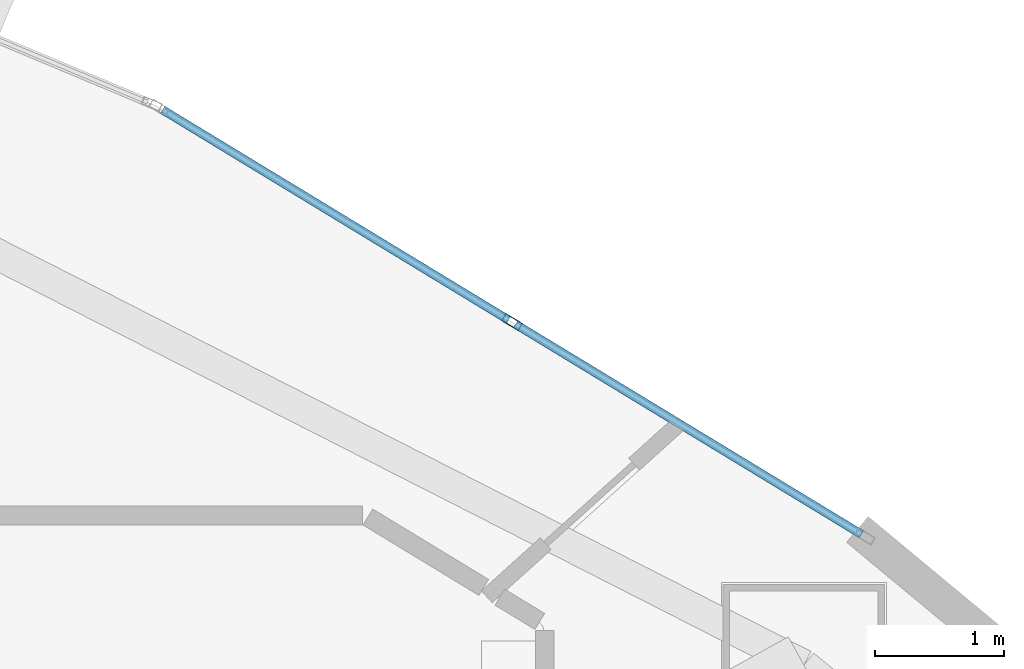
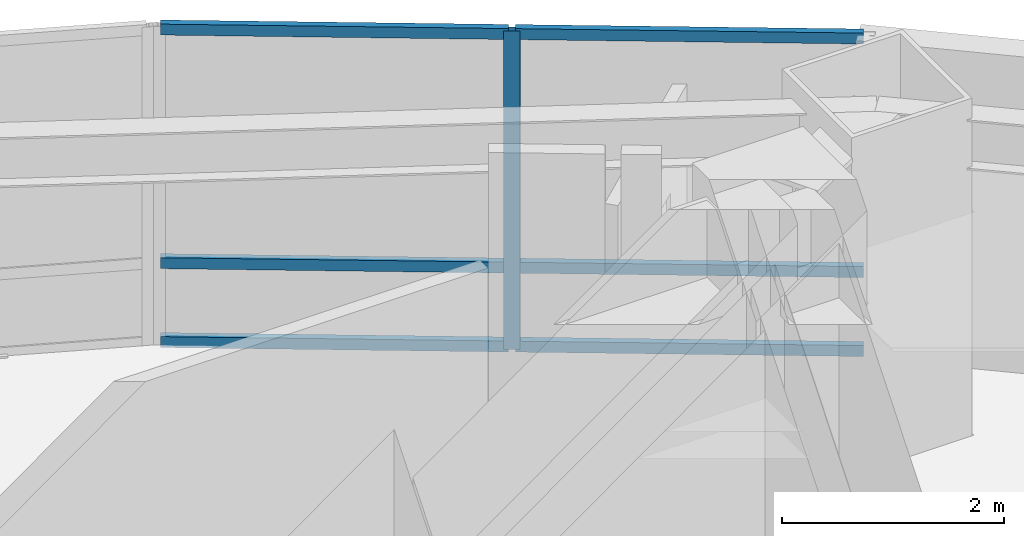
# One storey, part 10 of 17: 7 members, 1 element without a shape of its own.
"""IFC4 building model written with IfcOpenShell, lengths in metres."""

from ifc_helpers import new_model, si_unit, direction, frame, origin, origin_2d, place, context, subcontext, project, spatial, hollow_rectangle, extrude, material, layer, layer_set, material_profile, profile_set, type_object, element, aggregate, save


model = new_model("IFC4")

# Units and contexts
model_context = context("Model", 3, precision=1e-05, world=origin(), true_north=direction((0.0, 1.0)))
body_context = subcontext(model_context, "Body", "Model", "MODEL_VIEW")
ifc_project = project(units=[si_unit("LENGTHUNIT", "METRE"), si_unit("AREAUNIT", "SQUARE_METRE"), si_unit("VOLUMEUNIT", "CUBIC_METRE"), si_unit("PLANEANGLEUNIT", "RADIAN"), si_unit("MASSUNIT", "GRAM", prefix="KILO")], contexts=[model_context])

# Site, building, storey
site_placement = place(None, origin())
site = spatial("IfcSite", under=ifc_project, at=site_placement, CompositionType="ELEMENT")
building_placement = place(site_placement, origin())
building = spatial("IfcBuilding", under=site, at=building_placement, Name="Menara Vayukalpa", CompositionType="ELEMENT")
storey_placement = place(building_placement, frame((0.0, 0.0, 133.739990234375)))
storey = spatial("IfcBuildingStorey", under=building, at=storey_placement, Name="L33", CompositionType="ELEMENT", Elevation=133.739990234375)

# Curtain wall, members
ifc_material_1 = material(Name="Anodised Terracotta Aluminium Alloy 6063-T6", Category="masonry")
ifc_layer = layer(ifc_material_1, 0.14990234375)
ifc_layer_set = layer_set([ifc_layer], Name="Anodised Terracotta Aluminium Alloy 6063-T6")
curtain_wall_type = type_object("IfcCurtainWallType", Name="CW-CW3", PredefinedType="USERDEFINED", material=ifc_layer_set)
curtain_wall_placement = place(storey_placement, origin())
curtain_wall = element("IfcCurtainWall", 1, at=curtain_wall_placement, inside=storey, type_object=curtain_wall_type, Name="L33 Mid Rise Terracotta Ribbon Curtain Wall CW3 04", ObjectType="UNITISED", PredefinedType="USERDEFINED")
ifc_material_2 = material(Name="Anodised Terracotta Aluminium Alloy 6063-T6", Category="masonry")
ifc_material_profile_1 = material_profile(ifc_material_2, hollow_rectangle(XDim=0.06494140625, YDim=0.14990234375, WallThickness=0.00341796875, at=origin_2d()), Name="ALU 65x150x3.5")
ifc_profile_set_1 = profile_set([ifc_material_profile_1], Name="Anodised Terracotta Aluminium Alloy 6063-T6")
member_type_1 = type_object("IfcMemberType", Name="CWM-CW3", PredefinedType="MULLION", material=ifc_profile_set_1)
member_1_placement = place(storey_placement, frame((32.6259765625, 30.278564453125, 0.0), z_axis=(0.0, 0.0, 1.0), x_axis=(-0.519182959112, -0.854663123674, 0.0)))
member_1 = element("IfcMember", 2, at=member_1_placement, type_object=member_type_1, Name="CW3 mullion 2", PredefinedType="MULLION", context=body_context, shape_type="SweptSolid", body=[
    extrude(hollow_rectangle(XDim=0.06494140625, YDim=0.14990234375, WallThickness=0.00341796875, at=origin_2d()), origin(), (0.0, 0.0, 1.0), 3.5),
])
ifc_material_3 = material(Name="Anodised Terracotta Aluminium Alloy 6063-T6", Category="masonry")
ifc_material_profile_2 = material_profile(ifc_material_3, hollow_rectangle(XDim=0.06494140625, YDim=0.1201171875, WallThickness=0.00341796875, at=origin_2d()), Name="ALU 65x120x3.5")
ifc_profile_set_2 = profile_set([ifc_material_profile_2], Name="Anodised Terracotta Aluminium Alloy 6063-T6")
member_type_2 = type_object("IfcMemberType", Name="CWT-CW3", PredefinedType="USERDEFINED", material=ifc_profile_set_2)
member_2_placement = place(storey_placement, frame((35.33056640625, 28.6357421875, 0.032470703125), z_axis=(-0.854673871166, 0.519165266506, 0.0), x_axis=(-0.519165266506, -0.854673871166, 0.0)))
member_2 = element("IfcMember", 3, at=member_2_placement, type_object=member_type_2, Name="CW3 transom 1.1", ObjectType="TRANSOM", PredefinedType="USERDEFINED", context=body_context, shape_type="SweptSolid", body=[
    extrude(hollow_rectangle(XDim=0.06494140625, YDim=0.1201171875, WallThickness=0.00341796875, at=origin_2d()), origin(), (0.0, 0.0, 1.0), 3.1318359375),
])
member_3_placement = place(storey_placement, frame((35.33056640625, 28.6357421875, 0.89990234375), z_axis=(-0.854673871166, 0.519165266506, 0.0), x_axis=(-0.519165266506, -0.854673871166, 0.0)))
member_3 = element("IfcMember", 4, at=member_3_placement, type_object=member_type_2, Name="CW3 transom 1.2", ObjectType="TRANSOM", PredefinedType="USERDEFINED", context=body_context, shape_type="SweptSolid", body=[
    extrude(hollow_rectangle(XDim=0.06494140625, YDim=0.1201171875, WallThickness=0.00341796875, at=origin_2d()), origin(), (0.0, 0.0, 1.0), 3.1318359375),
])
member_4_placement = place(storey_placement, frame((35.33056640625, 28.6357421875, 3.467529296875), z_axis=(-0.854673871166, 0.519165266506, 0.0), x_axis=(-0.519165266506, -0.854673871166, 0.0)))
member_4 = element("IfcMember", 5, at=member_4_placement, type_object=member_type_2, Name="CW3 transom 1.3", ObjectType="TRANSOM", PredefinedType="USERDEFINED", context=body_context, shape_type="SweptSolid", body=[
    extrude(hollow_rectangle(XDim=0.06494140625, YDim=0.1201171875, WallThickness=0.00341796875, at=origin_2d()), origin(), (0.0, 0.0, 1.0), 3.1318359375),
])
member_5_placement = place(storey_placement, frame((32.59814453125, 30.29541015625, 0.032470703125), z_axis=(-0.854673871166, 0.519165266506, 0.0), x_axis=(-0.519165266506, -0.854673871166, 0.0)))
member_5 = element("IfcMember", 6, at=member_5_placement, type_object=member_type_2, Name="CW3 transom 2.1", ObjectType="TRANSOM", PredefinedType="USERDEFINED", context=body_context, shape_type="SweptSolid", body=[
    extrude(hollow_rectangle(XDim=0.06494140625, YDim=0.1201171875, WallThickness=0.00341796875, at=origin_2d()), origin(), (0.0, 0.0, 1.0), 3.1318359375),
])
member_6_placement = place(storey_placement, frame((32.59814453125, 30.29541015625, 0.89990234375), z_axis=(-0.854673871166, 0.519165266506, 0.0), x_axis=(-0.519165266506, -0.854673871166, 0.0)))
member_6 = element("IfcMember", 7, at=member_6_placement, type_object=member_type_2, Name="CW3 transom 2.2", ObjectType="TRANSOM", PredefinedType="USERDEFINED", context=body_context, shape_type="SweptSolid", body=[
    extrude(hollow_rectangle(XDim=0.06494140625, YDim=0.1201171875, WallThickness=0.00341796875, at=origin_2d()), origin(), (0.0, 0.0, 1.0), 3.1318359375),
])
member_7_placement = place(storey_placement, frame((32.59814453125, 30.29541015625, 3.467529296875), z_axis=(-0.854673871166, 0.519165266506, 0.0), x_axis=(-0.519165266506, -0.854673871166, 0.0)))
member_7 = element("IfcMember", 8, at=member_7_placement, type_object=member_type_2, Name="CW3 transom 2.3", ObjectType="TRANSOM", PredefinedType="USERDEFINED", context=body_context, shape_type="SweptSolid", body=[
    extrude(hollow_rectangle(XDim=0.06494140625, YDim=0.1201171875, WallThickness=0.00341796875, at=origin_2d()), origin(), (0.0, 0.0, 1.0), 3.1318359375),
])
aggregate(curtain_wall, [member_1, member_2, member_3, member_4, member_5, member_6, member_7])

save(model, "model.ifc")
